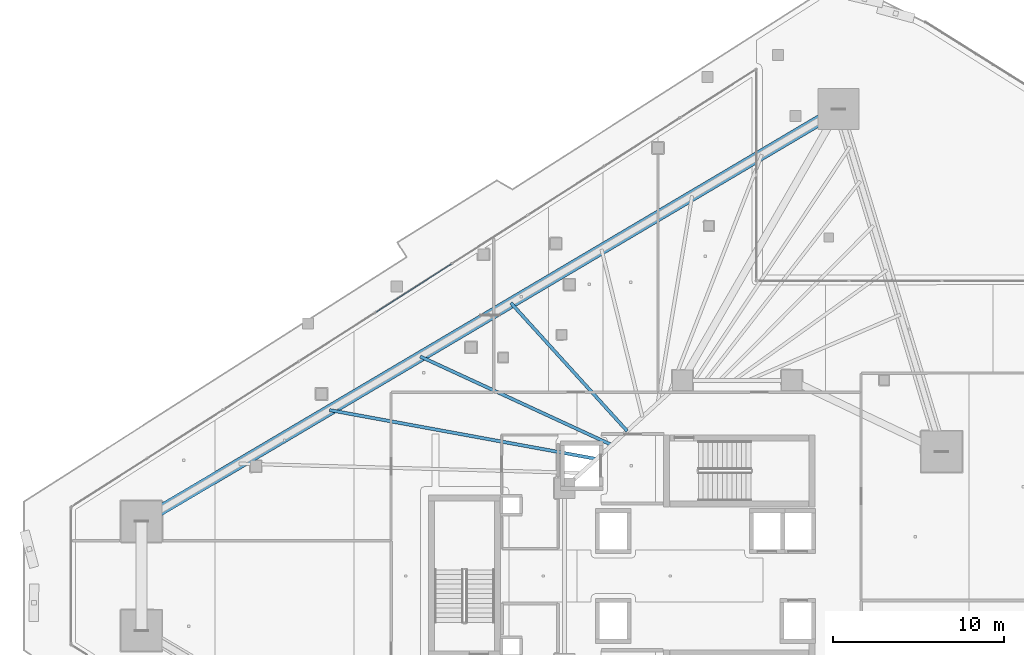
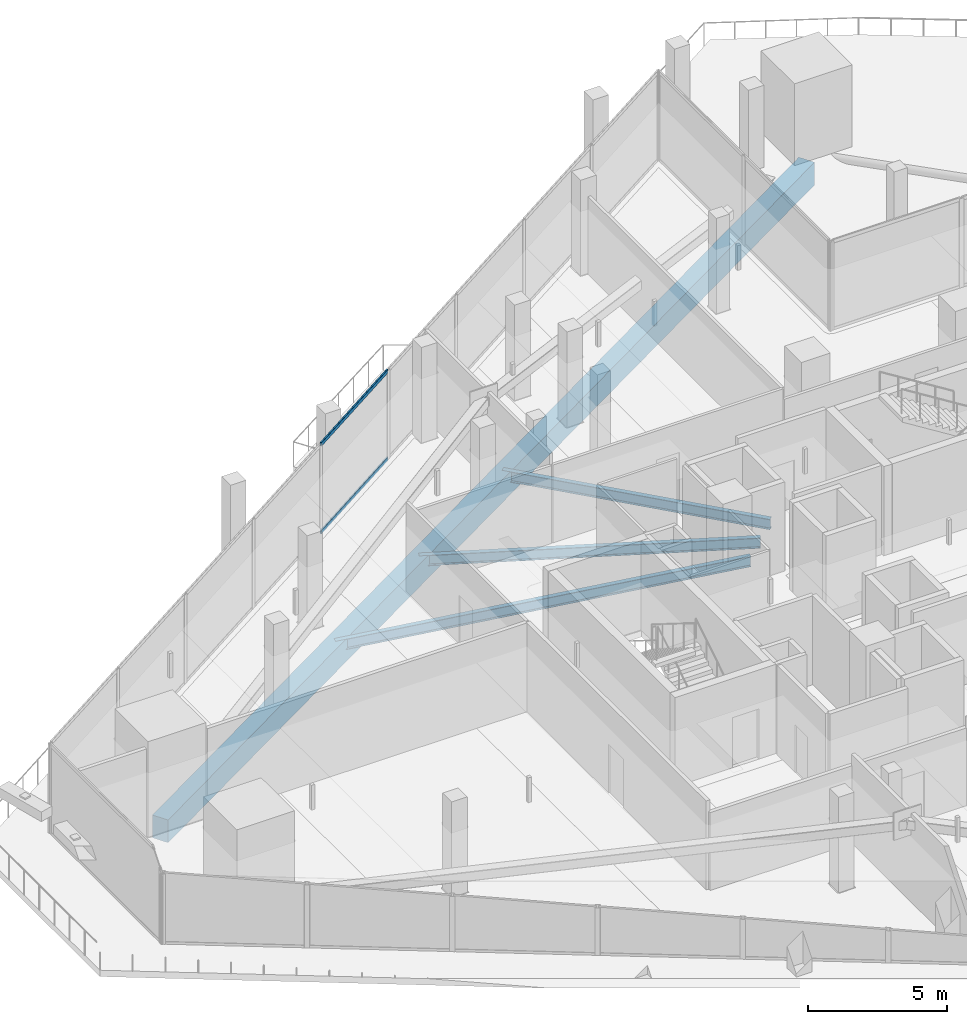
# One storey, part 15 of 47: 4 beams, 2 members, 1 element without a shape of its own.
"""IFC4 building model written with IfcOpenShell, lengths in metres."""

from ifc_helpers import new_model, si_unit, direction, frame, origin, origin_2d, place, context, subcontext, project, spatial, rectangle, hollow_rectangle, i_section, extrude, material, layer, layer_set, material_profile, profile_set, type_object, element, aggregate, save


model = new_model("IFC4")

# Units and contexts
model_context = context("Model", 3, precision=1e-05, world=origin(), true_north=direction((0.0, 1.0)))
body_context = subcontext(model_context, "Body", "Model", "MODEL_VIEW")
ifc_project = project(units=[si_unit("LENGTHUNIT", "METRE"), si_unit("AREAUNIT", "SQUARE_METRE"), si_unit("VOLUMEUNIT", "CUBIC_METRE"), si_unit("PLANEANGLEUNIT", "RADIAN"), si_unit("MASSUNIT", "GRAM", prefix="KILO")], contexts=[model_context])

# Site, building, storey
site_placement = place(None, origin())
site = spatial("IfcSite", under=ifc_project, at=site_placement, CompositionType="ELEMENT")
building_placement = place(site_placement, origin())
building = spatial("IfcBuilding", under=site, at=building_placement, Name="Qorvath Tower", CompositionType="ELEMENT")
storey_placement = place(building_placement, frame((0.0, 0.0, 74.39990234375)))
storey = spatial("IfcBuildingStorey", under=building, at=storey_placement, Name="L16", CompositionType="ELEMENT", Elevation=74.39990234375)

# Beams
ifc_material_1 = material(Name="Steel ASTM A992 Grade 50", Category="steel")
ifc_material_profile_1 = material_profile(ifc_material_1, i_section(OverallWidth=0.18994140625, OverallDepth=0.45703125, WebThickness=0.009033203125, FlangeThickness=0.014404296875, FilletRadius=0.011962890625, at=origin_2d()), Name="W18x50")
ifc_profile_set_1 = profile_set([ifc_material_profile_1], Name="Steel ASTM A992 Grade 50")
beam_type_1 = type_object("IfcBeamType", Name="BM-FJ2", PredefinedType="JOIST", material=ifc_profile_set_1)
beam_1_placement = place(storey_placement, frame((-28.636962890625, 6.85107421875, -0.50830078125), z_axis=(-0.983656498786, 0.180055248176, 0.0), x_axis=(-0.180055248176, -0.983656498786, 0.0)))
element("IfcBeam", 1, at=beam_1_placement, inside=storey, type_object=beam_type_1, Name="Composite Floor Joist NW2 L16", PredefinedType="JOIST", context=body_context, shape_type="SweptSolid", body=[
    extrude(i_section(OverallWidth=0.18994140625, OverallDepth=0.45703125, WebThickness=0.009033203125, FlangeThickness=0.014404296875, FilletRadius=0.011962890625, at=origin_2d()), origin(), (0.0, 0.0, 1.0), 15.884521484375),
])
beam_2_placement = place(storey_placement, frame((-27.739990234375, 7.669921875, -0.50830078125), z_axis=(-0.907881281747, 0.419227358665, 0.0), x_axis=(-0.419227358665, -0.907881281747, 0.0)))
element("IfcBeam", 2, at=beam_2_placement, inside=storey, type_object=beam_type_1, Name="Composite Floor Joist NW3 L16", PredefinedType="JOIST", context=body_context, shape_type="SweptSolid", body=[
    extrude(i_section(OverallWidth=0.18994140625, OverallDepth=0.45703125, WebThickness=0.009033203125, FlangeThickness=0.014404296875, FilletRadius=0.011962890625, at=origin_2d()), origin(), (0.0, 0.0, 1.0), 12.353515625),
])
beam_3_placement = place(storey_placement, frame((-26.843017578125, 8.489013671875, -0.50830078125), z_axis=(-0.672128980215, 0.740434084815, 0.0), x_axis=(-0.740434084815, -0.672128980215, 0.0)))
element("IfcBeam", 3, at=beam_3_placement, inside=storey, type_object=beam_type_1, Name="Composite Floor Joist NW4 L16", PredefinedType="JOIST", context=body_context, shape_type="SweptSolid", body=[
    extrude(i_section(OverallWidth=0.18994140625, OverallDepth=0.45703125, WebThickness=0.009033203125, FlangeThickness=0.014404296875, FilletRadius=0.011962890625, at=origin_2d()), origin(), (0.0, 0.0, 1.0), 10.1259765625),
])
ifc_material_2 = material(Name="Concrete C50/60", Category="concrete")
ifc_material_profile_2 = material_profile(ifc_material_2, rectangle(XDim=0.64990234375, YDim=1.0, at=origin_2d()), Name="RCB 1000x650")
ifc_profile_set_2 = profile_set([ifc_material_profile_2], Name="Concrete C50/60")
beam_type_2 = type_object("IfcBeamType", Name="BM-RCB1", PredefinedType="SPANDREL", material=ifc_profile_set_2)
beam_4_placement = place(storey_placement, frame((-14.46435546875, 27.330810546875, -0.77978515625), z_axis=(-0.860777360917, -0.508981664633, 0.0), x_axis=(0.508981664633, -0.860777360917, 0.0)))
element("IfcBeam", 4, at=beam_4_placement, inside=storey, type_object=beam_type_2, Name="Perimeter Loggia Frame Beam MC6-MC1 L16", PredefinedType="SPANDREL", context=body_context, shape_type="SweptSolid", body=[
    extrude(rectangle(XDim=0.64990234375, YDim=1.0, at=origin_2d()), origin(), (0.0, 0.0, 1.0), 47.420654296875),
])

# Curtain wall, members
ifc_material_3 = material(Name="Anodised aluminium and triple low-E glass", Category="aluminium")
ifc_layer = layer(ifc_material_3, 0.179931640625)
ifc_layer_set = layer_set([ifc_layer], Name="CW-SYS-5")
curtain_wall_type = type_object("IfcCurtainWallType", Name="CW-SYS-5", PredefinedType="NOTDEFINED", material=ifc_layer_set)
curtain_wall_placement = place(storey_placement, origin())
curtain_wall = element("IfcCurtainWall", 5, at=curtain_wall_placement, inside=storey, type_object=curtain_wall_type, Name="Curtain Wall CW-5 CW-T-L16-4.1", PredefinedType="NOTDEFINED")
ifc_material_4 = material(Name="Anodised aluminium 6063-T6", Category="aluminium")
ifc_material_profile_3 = material_profile(ifc_material_4, hollow_rectangle(XDim=0.06494140625, YDim=0.159912109375, WallThickness=0.00341796875, InnerFilletRadius=0.00341796875, OuterFilletRadius=0.007080078125, at=origin_2d()), Name="CWT 160x65")
ifc_profile_set_3 = profile_set([ifc_material_profile_3], Name="Anodised aluminium 6063-T6")
member_type = type_object("IfcMemberType", Name="CWT-160", PredefinedType="USERDEFINED", material=ifc_profile_set_3)
member_1_placement = place(storey_placement, frame((-37.140869140625, 18.25439453125, 0.032470703125), z_axis=(-0.842584141032, -0.538564727105, 0.0), x_axis=(0.538564727105, -0.842584141032, 0.0)))
member_1 = element("IfcMember", 6, at=member_1_placement, type_object=member_type, Name="CW-5 transom 5.1", ObjectType="TRANSOM", PredefinedType="USERDEFINED", context=body_context, shape_type="SweptSolid", body=[
    extrude(hollow_rectangle(XDim=0.06494140625, YDim=0.159912109375, WallThickness=0.00341796875, InnerFilletRadius=0.00341796875, OuterFilletRadius=0.007080078125, at=origin_2d()), origin(), (0.0, 0.0, 1.0), 5.21484375),
])
member_2_placement = place(storey_placement, frame((-37.140869140625, 18.25439453125, 3.8876953125), z_axis=(-0.842584141032, -0.538564727105, 0.0), x_axis=(0.538564727105, -0.842584141032, 0.0)))
member_2 = element("IfcMember", 7, at=member_2_placement, type_object=member_type, Name="CW-5 transom 5.2", ObjectType="TRANSOM", PredefinedType="USERDEFINED", context=body_context, shape_type="SweptSolid", body=[
    extrude(hollow_rectangle(XDim=0.06494140625, YDim=0.159912109375, WallThickness=0.00341796875, InnerFilletRadius=0.00341796875, OuterFilletRadius=0.007080078125, at=origin_2d()), origin(), (0.0, 0.0, 1.0), 5.21484375),
])
aggregate(curtain_wall, [member_1, member_2])

save(model, "model.ifc")
